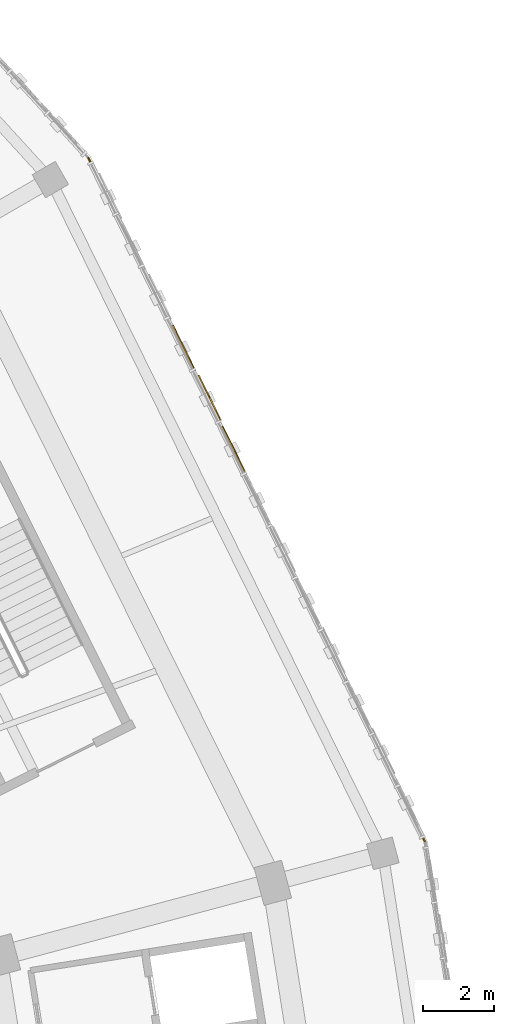
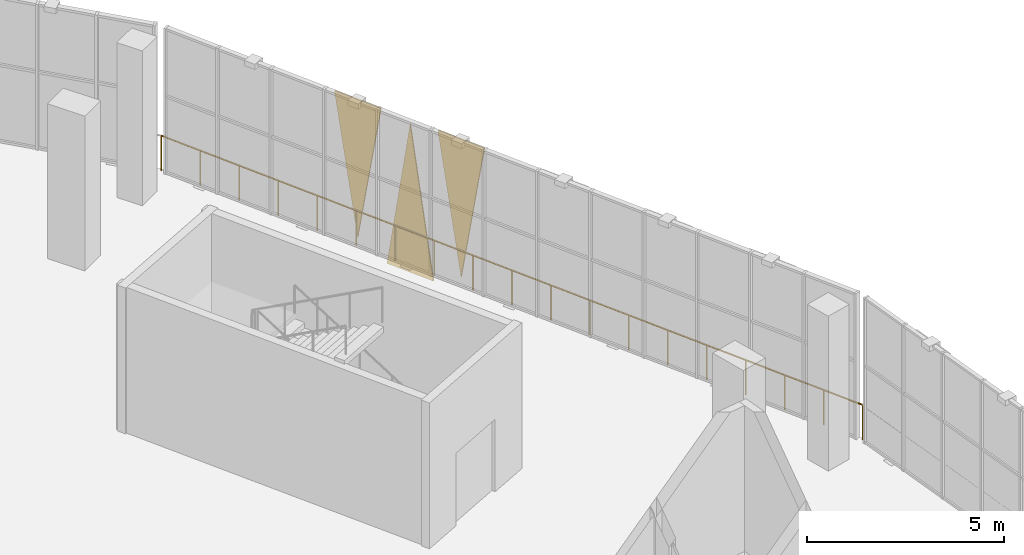
# One storey, part 156 of 183: 3 coverings, 1 railing.
"""IFC4 building model written with IfcOpenShell, lengths in metres."""

import ifcopenshell
import ifcopenshell.guid

model = None  # the IFC model being written
_history = None  # IfcOwnerHistory: only IFC2X3 demands one
_inside = {}  # id of a spatial element -> (the spatial element, [elements in it])
_under = {}  # id of a project, library or spatial element -> (it, [spatial elements below it])
_declared = {}  # id of a project -> (the project, [libraries it declares])
_typed = {}  # id of a type object -> (the type object, [elements of that type])
_made_of = {}  # id of a material, layer set ... -> (it, [elements and type objects made of it])


def new_model(schema):
    """Start an empty IFC model of exactly this schema.

    Asked for "IFC4X3", IfcOpenShell would pick the latest addendum, in which some entities
    have other attributes; the version numbers below select the first issue.
    IFC2X3 requires an IfcOwnerHistory on every rooted entity: one is made here for all.
    """
    global model, _history
    if schema == "IFC4X3":
        model = ifcopenshell.file(schema_version=(4, 3, 0, 0))
    else:
        model = ifcopenshell.file(schema=schema)
    _inside.clear()
    _under.clear()
    _declared.clear()
    _typed.clear()
    _made_of.clear()
    _history = None
    if model.schema == "IFC2X3":
        org = make("IfcOrganization", Name="unknown")
        user = make(
            "IfcPersonAndOrganization",
            ThePerson=make("IfcPerson", FamilyName="unknown"),
            TheOrganization=org,
        )
        app = make(
            "IfcApplication",
            ApplicationDeveloper=org,
            Version="unknown",
            ApplicationFullName="unknown",
            ApplicationIdentifier="unknown",
        )
        _history = make(
            "IfcOwnerHistory",
            OwningUser=user,
            OwningApplication=app,
            ChangeAction="ADDED",
            CreationDate=0,
        )
    return model


def make(cls, **values):
    """One entity of the class cls with the attributes given. An attribute that is None is left unset."""
    return model.create_entity(
        cls, **{name: value for name, value in values.items() if value is not None}
    )


def rooted(cls, **values):
    """An entity with a GlobalId (a new one), such as an element, a storey or a relation."""
    return make(cls, GlobalId=ifcopenshell.guid.new(), OwnerHistory=_history, **values)


def si_unit(unit_type, name, prefix=None):
    """IfcSIUnit, for example si_unit("LENGTHUNIT", "METRE", prefix="MILLI")."""
    return make("IfcSIUnit", UnitType=unit_type, Prefix=prefix, Name=name)


def assignment(units):
    """IfcUnitAssignment: the units of a project."""
    return None if units is None else make("IfcUnitAssignment", Units=units)


def point(xyz):
    """IfcCartesianPoint."""
    return None if xyz is None else make("IfcCartesianPoint", Coordinates=xyz)


def direction(xyz):
    """IfcDirection."""
    return None if xyz is None else make("IfcDirection", DirectionRatios=xyz)


def frame(location, z_axis=None, x_axis=None):
    """IfcAxis2Placement3D, a coordinate frame: its origin and axes. An axis left out is left unset."""
    return make(
        "IfcAxis2Placement3D",
        Location=point(location),
        Axis=direction(z_axis),
        RefDirection=direction(x_axis),
    )


def frame_2d(location, x_axis=None):
    """IfcAxis2Placement2D, a coordinate frame in the plane: its origin and x axis."""
    return make(
        "IfcAxis2Placement2D", Location=point(location), RefDirection=direction(x_axis)
    )


def origin():
    """The frame at (0, 0, 0) with its axes left unset."""
    return frame((0.0, 0.0, 0.0))


def origin_2d():
    """The frame at (0, 0) in the plane with its x axis left unset."""
    return frame_2d((0.0, 0.0))


def place(relative_to, where):
    """IfcLocalPlacement: puts the frame where relative to a parent placement (None: the world)."""
    return make(
        "IfcLocalPlacement", PlacementRelTo=relative_to, RelativePlacement=where
    )


def context(
    kind, dimensions, precision=None, world=None, true_north=None, identifier=None
):
    """IfcGeometricRepresentationContext, for example the 3D "Model" context."""
    return make(
        "IfcGeometricRepresentationContext",
        ContextIdentifier=identifier,
        ContextType=kind,
        CoordinateSpaceDimension=dimensions,
        Precision=precision,
        WorldCoordinateSystem=world,
        TrueNorth=true_north,
    )


def subcontext(parent, identifier, kind, view, scale=None):
    """IfcGeometricRepresentationSubContext, for example "Body" below "Model"."""
    return make(
        "IfcGeometricRepresentationSubContext",
        ContextIdentifier=identifier,
        ContextType=kind,
        ParentContext=parent,
        TargetScale=scale,
        TargetView=view,
    )


def project(units=None, contexts=None):
    """IfcProject with its units and contexts."""
    return rooted(
        "IfcProject",
        Name="project",
        RepresentationContexts=contexts,
        UnitsInContext=assignment(units),
    )


def spatial(cls, under=None, at=None, **own):
    """A site, building, storey or space (cls), placed at a placement, below another one or the project."""
    s = rooted(cls, ObjectPlacement=at, **own)
    if under is not None:
        _under.setdefault(under.id(), (under, []))[1].append(s)
    return s


def polyline(points):
    """IfcPolyline through the points."""
    return make("IfcPolyline", Points=[point(p) for p in points])


def profile(cls, at=None, kind="AREA", **sizes):
    """A parametric profile (cls). Its sizes go by their IFC names, for example OverallWidth=200.0."""
    return make(cls, ProfileType=kind, Position=at, **sizes)


def circle(**sizes):
    """IfcCircleProfileDef."""
    return profile("IfcCircleProfileDef", **sizes)


def outline(outer, holes=None, kind="AREA"):
    """IfcArbitraryClosedProfileDef: a profile drawn as a closed curve; with holes, ...WithVoids."""
    if holes is None:
        return make("IfcArbitraryClosedProfileDef", ProfileType=kind, OuterCurve=outer)
    return make(
        "IfcArbitraryProfileDefWithVoids",
        ProfileType=kind,
        OuterCurve=outer,
        InnerCurves=holes,
    )


def extrude(swept, where, along, depth):
    """IfcExtrudedAreaSolid: the profile swept, set in the frame where, extruded along a direction by depth."""
    return make(
        "IfcExtrudedAreaSolid",
        SweptArea=swept,
        Position=where,
        ExtrudedDirection=direction(along),
        Depth=depth,
    )


def shape(context_of_items, identifier, shape_type, items):
    """IfcShapeRepresentation: the items that make up one representation, for example the "Body"."""
    return make(
        "IfcShapeRepresentation",
        ContextOfItems=context_of_items,
        RepresentationIdentifier=identifier,
        RepresentationType=shape_type,
        Items=items,
    )


def material(Name=None, Category=None):
    """IfcMaterial."""
    return make("IfcMaterial", Name=Name, Category=Category)


def layer(
    of_material, thickness, ventilated=None, Name=None, Category=None, Priority=None
):
    """IfcMaterialLayer: one layer of a wall or slab, of a material (None: an air gap)."""
    return make(
        "IfcMaterialLayer",
        Material=of_material,
        LayerThickness=thickness,
        IsVentilated=ventilated,
        Name=Name,
        Category=Category,
        Priority=Priority,
    )


def layer_set(layers, Name=None):
    """IfcMaterialLayerSet."""
    return make("IfcMaterialLayerSet", MaterialLayers=layers, LayerSetName=Name)


def made_of(thing, what):
    """Note that an element or type object is made of a material, layer set ...; save() writes the relation."""
    if what is not None:
        _made_of.setdefault(what.id(), (what, []))[1].append(thing)
    return thing


def type_object(cls, material=None, **own):
    """A type object (cls), such as IfcWallType, which elements share."""
    return made_of(rooted(cls, **own), material)


def element(
    cls,
    number,
    at=None,
    inside=None,
    cuts=None,
    type_object=None,
    material=None,
    context=None,
    identifier="Body",
    shape_type=None,
    held_by="IfcProductDefinitionShape",
    body=None,
    shapes=None,
    **own,
):
    """One element of the class cls, such as IfcWall. Its Tag is "e" and its number.

    at: its placement. inside: the storey or other place that contains it. cuts: it is an
    opening in that element (IfcRelVoidsElement). A single representation is given by context,
    identifier, shape_type and body (its items); several are given by shapes. held_by: the class
    of the entity that holds the representations. save() writes the other relations.
    """
    e = rooted(cls, Tag="e%d" % number, ObjectPlacement=at, **own)
    if body is not None:
        shapes = [shape(context, identifier, shape_type, body)]
    if shapes is not None:
        e.Representation = make(held_by, Representations=shapes)
    if inside is not None:
        _inside.setdefault(inside.id(), (inside, []))[1].append(e)
    if cuts is not None:
        rooted(
            "IfcRelVoidsElement", RelatingBuildingElement=cuts, RelatedOpeningElement=e
        )
    if type_object is not None:
        _typed.setdefault(type_object.id(), (type_object, []))[1].append(e)
    return made_of(e, material)


def aggregate(whole, parts):
    """IfcRelAggregates: a whole, such as a stair, and the parts it consists of."""
    return rooted("IfcRelAggregates", RelatingObject=whole, RelatedObjects=parts)


def save(model, path):
    """Write the relations noted so far, then the file.

    IfcRelAggregates (storeys below a building ...), IfcRelContainedInSpatialStructure (elements
    in a storey), IfcRelDefinesByType, IfcRelAssociatesMaterial and IfcRelDeclares: one each for
    every whole, place, type object, material and project.
    """
    for whole, parts in _under.values():
        aggregate(whole, parts)
    for where, things in _inside.values():
        rooted(
            "IfcRelContainedInSpatialStructure",
            RelatedElements=things,
            RelatingStructure=where,
        )
    for kind, things in _typed.values():
        rooted("IfcRelDefinesByType", RelatedObjects=things, RelatingType=kind)
    for what, things in _made_of.values():
        rooted("IfcRelAssociatesMaterial", RelatedObjects=things, RelatingMaterial=what)
    for by, libraries in _declared.values():
        rooted("IfcRelDeclares", RelatingContext=by, RelatedDefinitions=libraries)
    model.write(path)


model = new_model("IFC4")

# Units and contexts
model_context = context("Model", 3, precision=1e-05, world=origin(), true_north=direction((0.0, 1.0)))
body_context = subcontext(model_context, "Body", "Model", "MODEL_VIEW")
ifc_project = project(units=[si_unit("LENGTHUNIT", "METRE"), si_unit("AREAUNIT", "SQUARE_METRE"), si_unit("VOLUMEUNIT", "CUBIC_METRE"), si_unit("PLANEANGLEUNIT", "RADIAN"), si_unit("MASSUNIT", "GRAM", prefix="KILO")], contexts=[model_context])

# Site, building, storey
site_placement = place(None, origin())
site = spatial("IfcSite", under=ifc_project, at=site_placement, CompositionType="ELEMENT")
building_placement = place(site_placement, origin())
building = spatial("IfcBuilding", under=site, at=building_placement, Name="Zevraka Park Crest Stadium", CompositionType="ELEMENT")
storey_placement = place(building_placement, frame((0.0, 0.0, 5.39990234375)))
storey = spatial("IfcBuildingStorey", under=building, at=storey_placement, Name="L01", CompositionType="ELEMENT", Elevation=5.39990234375)

# Coverings
ifc_material_1 = material(Name="Architectural golden-bronze perforated aluminium", Category="aluminium")
ifc_layer = layer(ifc_material_1, 0.034912109375)
ifc_layer_set = layer_set([ifc_layer], Name="Architectural golden-bronze perforated aluminium")
covering_type = type_object("IfcCoveringType", Name="CLD01", PredefinedType="CLADDING", material=ifc_layer_set)
covering_1_placement = place(storey_placement, frame((197.822998046875, 124.3330078125, 4.5), z_axis=(0.897363351947, 0.441292433512, 5.2033191e-05), x_axis=(0.441292434109, -0.897363353162, 0.0)))
element("IfcCovering", 1, at=covering_1_placement, inside=storey, type_object=covering_type, Name="Triangular Golden-Bronze Perforated Cladding L01-01-8", PredefinedType="CLADDING", context=body_context, shape_type="SweptSolid", body=[
    extrude(outline(polyline([(0.0, 0.0), (1.420720312745091, -3.3881317890172014e-21), (0.7110137968936739, 4.279785162043659), (0.0, 0.0)])), origin(), (0.0, 0.0, -1.0), 0.034912109375),
])
covering_2_placement = place(storey_placement, frame((197.751953125, 124.47607421875, -0.260009765625), z_axis=(-0.897363344103, -0.441292429655, 0.000142092747), x_axis=(-0.441292434109, 0.897363353162, 0.0)))
element("IfcCovering", 2, at=covering_2_placement, inside=storey, type_object=covering_type, Name="Triangular Golden-Bronze Perforated Cladding L01-01-9", PredefinedType="CLADDING", context=body_context, shape_type="SweptSolid", body=[
    extrude(outline(polyline([(0.0, 0.0), (1.420720312745091, 1.3552527156068805e-20), (0.710582847250989, -4.600097702688788), (0.0, 0.0)])), origin(), (0.0, 0.0, -1.0), 0.034912109375),
])
covering_3_placement = place(storey_placement, frame((196.427001953125, 127.1689453125, 4.5), z_axis=(0.897229366489, 0.441564778295, 0.000102365016), x_axis=(0.441564780609, -0.89722937119, 0.0)))
element("IfcCovering", 3, at=covering_3_placement, inside=storey, type_object=covering_type, Name="Triangular Golden-Bronze Perforated Cladding L01-01-10", PredefinedType="CLADDING", context=body_context, shape_type="SweptSolid", body=[
    extrude(outline(polyline([(0.0, 0.0), (1.4198440467462223, -6.776263578034403e-21), (0.7101376311761427, 4.2797851786730705), (0.0, 0.0)])), origin(), (0.0, 0.0, -1.0), 0.034912109375),
])

# Railing
ifc_material_2 = material(Name="Galvanised and bronze-finished steel balustrade", Category="steel")
railing_type = type_object("IfcRailingType", Name="GR01", PredefinedType="GUARDRAIL", material=ifc_material_2)
railing_placement = place(storey_placement, frame((194.041015625, 131.860107421875, 0.0)))
element("IfcRailing", 4, at=railing_placement, inside=storey, type_object=railing_type, Name="Deck Edge Protection Guardrail GR01 L01-20", PredefinedType="GUARDRAIL", context=body_context, shape_type="SweptSolid", body=[
    extrude(circle(Radius=0.02392578125, at=origin_2d()), frame((0.0, 0.0, 1.076171875), z_axis=(0.441507942404, -0.897257341455, 0.0), x_axis=(0.897257341455, 0.441507942404, 0.0)), (0.0, 0.0, 1.0), 21.4287109375),
    extrude(circle(Radius=0.02099609375, at=origin_2d()), origin(), (0.0, 0.0, 1.0), 1.052001953125),
    extrude(circle(Radius=0.02099609375, at=origin_2d()), frame((0.525634765625, -1.068115234375, 0.0)), (0.0, 0.0, 1.0), 1.052001953125),
    extrude(circle(Radius=0.02099609375, at=origin_2d()), frame((1.05126953125, -2.13623046875, 0.0)), (0.0, 0.0, 1.0), 1.052001953125),
    extrude(circle(Radius=0.02099609375, at=origin_2d()), frame((1.576904296875, -3.20458984375, 0.0)), (0.0, 0.0, 1.0), 1.052001953125),
    extrude(circle(Radius=0.02099609375, at=origin_2d()), frame((2.1025390625, -4.272705078125, 0.0)), (0.0, 0.0, 1.0), 1.052001953125),
    extrude(circle(Radius=0.02099609375, at=origin_2d()), frame((2.6279296875, -5.3408203125, 0.0)), (0.0, 0.0, 1.0), 1.052001953125),
    extrude(circle(Radius=0.02099609375, at=origin_2d()), frame((3.153564453125, -6.408935546875, 0.0)), (0.0, 0.0, 1.0), 1.052001953125),
    extrude(circle(Radius=0.02099609375, at=origin_2d()), frame((3.67919921875, -7.477294921875, 0.0)), (0.0, 0.0, 1.0), 1.052001953125),
    extrude(circle(Radius=0.02099609375, at=origin_2d()), frame((4.204833984375, -8.54541015625, 0.0)), (0.0, 0.0, 1.0), 1.052001953125),
    extrude(circle(Radius=0.02099609375, at=origin_2d()), frame((4.73046875, -9.613525390625, 0.0)), (0.0, 0.0, 1.0), 1.052001953125),
    extrude(circle(Radius=0.02099609375, at=origin_2d()), frame((5.256103515625, -10.681640625, 0.0)), (0.0, 0.0, 1.0), 1.052001953125),
    extrude(circle(Radius=0.02099609375, at=origin_2d()), frame((5.78173828125, -11.749755859375, 0.0)), (0.0, 0.0, 1.0), 1.052001953125),
    extrude(circle(Radius=0.02099609375, at=origin_2d()), frame((6.307373046875, -12.818115234375, 0.0)), (0.0, 0.0, 1.0), 1.052001953125),
    extrude(circle(Radius=0.02099609375, at=origin_2d()), frame((6.8330078125, -13.88623046875, 0.0)), (0.0, 0.0, 1.0), 1.052001953125),
    extrude(circle(Radius=0.02099609375, at=origin_2d()), frame((7.3583984375, -14.954345703125, 0.0)), (0.0, 0.0, 1.0), 1.052001953125),
    extrude(circle(Radius=0.02099609375, at=origin_2d()), frame((7.884033203125, -16.0224609375, 0.0)), (0.0, 0.0, 1.0), 1.052001953125),
    extrude(circle(Radius=0.02099609375, at=origin_2d()), frame((8.40966796875, -17.0908203125, 0.0)), (0.0, 0.0, 1.0), 1.052001953125),
    extrude(circle(Radius=0.02099609375, at=origin_2d()), frame((8.935302734375, -18.158935546875, 0.0)), (0.0, 0.0, 1.0), 1.052001953125),
    extrude(circle(Radius=0.02099609375, at=origin_2d()), frame((9.4609375, -19.22705078125, 0.0)), (0.0, 0.0, 1.0), 1.052001953125),
])

save(model, "model.ifc")
